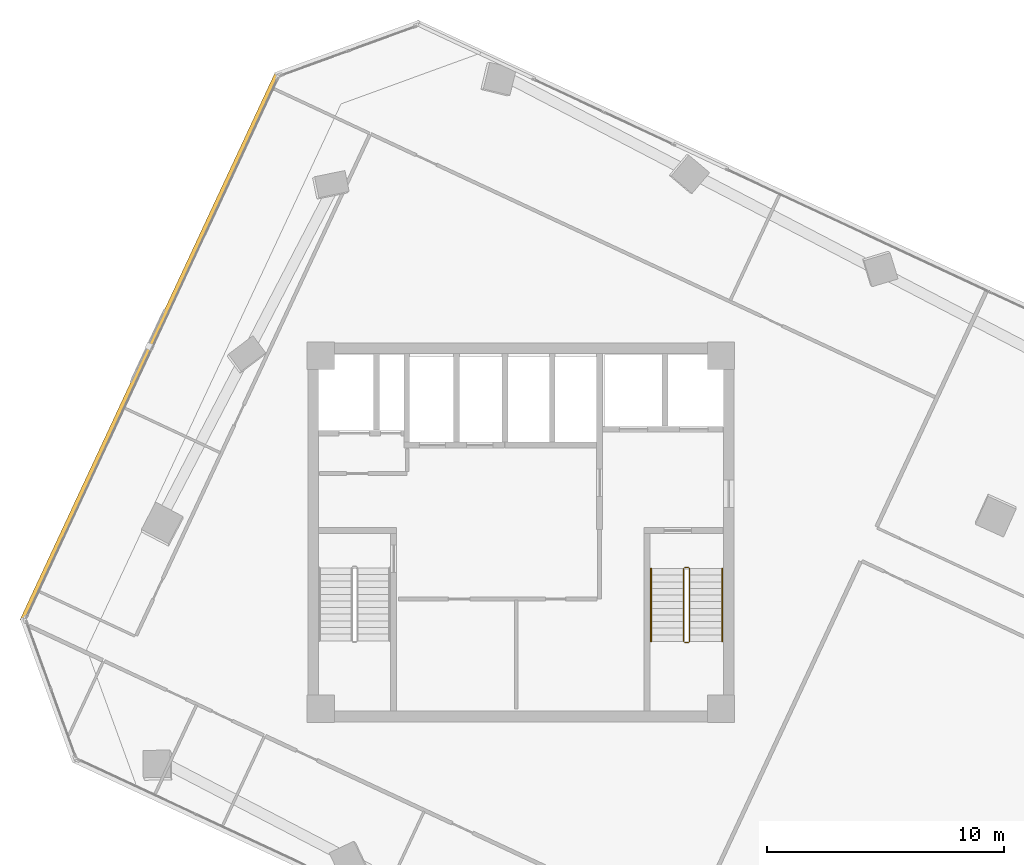
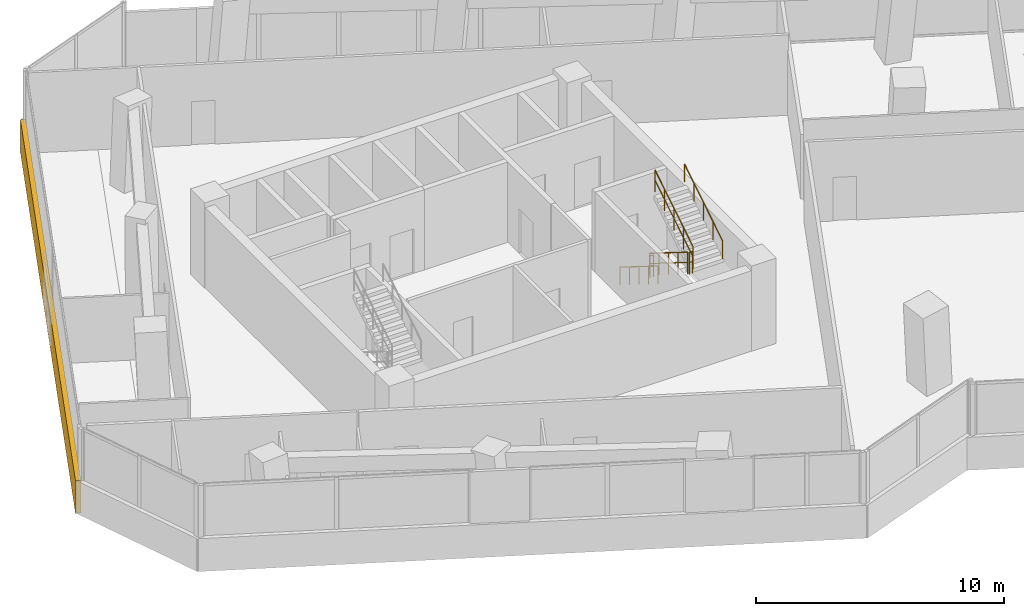
# One storey, part 19 of 21: 6 railings, 1 covering.
"""IFC4 building model written with IfcOpenShell, lengths in metres."""

from ifc_helpers import new_model, si_unit, direction, frame, origin, origin_2d, place, context, subcontext, project, spatial, rectangle, circle, extrude, source, transform, mapped, material, layer, layer_set, type_object, element, save


model = new_model("IFC4")

# Units and contexts
model_context = context("Model", 3, precision=1e-05, world=origin(), true_north=direction((0.0, 1.0)))
body_context = subcontext(model_context, "Body", "Model", "MODEL_VIEW")
ifc_project = project(units=[si_unit("LENGTHUNIT", "METRE"), si_unit("AREAUNIT", "SQUARE_METRE"), si_unit("VOLUMEUNIT", "CUBIC_METRE"), si_unit("PLANEANGLEUNIT", "RADIAN"), si_unit("MASSUNIT", "GRAM", prefix="KILO")], contexts=[model_context])

# Site, building, storey
site_placement = place(None, origin())
site = spatial("IfcSite", under=ifc_project, at=site_placement, CompositionType="ELEMENT")
building_placement = place(site_placement, origin())
building = spatial("IfcBuilding", under=site, at=building_placement, Name="Torre Montelarca", CompositionType="ELEMENT")
storey_placement = place(building_placement, frame((0.0, 0.0, 162.39990234375)))
storey = spatial("IfcBuildingStorey", under=building, at=storey_placement, Name="L36", CompositionType="ELEMENT", Elevation=162.39990234375)

# Railings
ifc_material_1 = material(Name="Powder-coated steel ASTM A500 Grade C", Category="steel")
railing_type_1 = type_object("IfcRailingType", Name="RL-GUARD-1100", PredefinedType="BALUSTRADE", material=ifc_material_1)
railing_1_placement = place(storey_placement, frame((24.8701171875, 30.469970703125, 0.175048828125)))
element("IfcRailing", 1, at=railing_1_placement, inside=storey, type_object=railing_type_1, Name="L36 ST2 stair guard 1", PredefinedType="BALUSTRADE", context=body_context, shape_type="SweptSolid", body=[
    extrude(circle(Radius=0.02392578125, at=origin_2d()), frame((0.0, 0.0, 1.076171875), z_axis=(0.0, -0.847998304005, 0.529998940003), x_axis=(1.0, 0.0, 0.0)), (0.0, 0.0, 1.0), 3.632080078125),
    extrude(circle(Radius=0.02099609375, at=origin_2d()), frame((0.0, 0.0, 0.572021484375), z_axis=(0.0, -0.847998304005, 0.529998940003), x_axis=(1.0, 0.0, 0.0)), (0.0, 0.0, 1.0), 3.632080078125),
    extrude(circle(Radius=0.02099609375, at=origin_2d()), origin(), (0.0, 0.0, 1.0), 1.052001953125),
    extrude(circle(Radius=0.02099609375, at=origin_2d()), frame((0.0, -0.77001953125, 0.481201171875)), (0.0, 0.0, 1.0), 1.052001953125),
    extrude(circle(Radius=0.02099609375, at=origin_2d()), frame((0.0, -1.5400390625, 0.96240234375)), (0.0, 0.0, 1.0), 1.052001953125),
    extrude(circle(Radius=0.02099609375, at=origin_2d()), frame((0.0, -2.31005859375, 1.44384765625)), (0.0, 0.0, 1.0), 1.052001953125),
    extrude(circle(Radius=0.02099609375, at=origin_2d()), frame((0.0, -3.080078125, 1.925048828125)), (0.0, 0.0, 1.0), 1.052001953125),
])
railing_2_placement = place(storey_placement, frame((24.919921875, 27.340087890625, 2.10009765625)))
element("IfcRailing", 2, at=railing_2_placement, inside=storey, type_object=railing_type_1, Name="L36 ST2 stair guard 2", PredefinedType="BALUSTRADE", context=body_context, shape_type="SweptSolid", body=[
    extrude(circle(Radius=0.02392578125, at=origin_2d()), frame((0.0, 0.0, 1.076171875), z_axis=(1.0, 0.0, 0.0), x_axis=(0.0, 1.0, 0.0)), (0.0, 0.0, 1.0), 0.150146484375),
    extrude(circle(Radius=0.02099609375, at=origin_2d()), frame((0.0, 0.0, 0.572021484375), z_axis=(1.0, 0.0, 0.0), x_axis=(0.0, 1.0, 0.0)), (0.0, 0.0, 1.0), 0.150146484375),
    extrude(circle(Radius=0.02099609375, at=origin_2d()), origin(), (0.0, 0.0, 1.0), 1.052001953125),
    extrude(circle(Radius=0.02099609375, at=origin_2d()), frame((0.150146484375, 0.0, 0.0)), (0.0, 0.0, 1.0), 1.052001953125),
])
railing_3_placement = place(storey_placement, frame((25.1201171875, 27.389892578125, 2.275146484375)))
element("IfcRailing", 3, at=railing_3_placement, inside=storey, type_object=railing_type_1, Name="L36 ST2 stair guard 3", PredefinedType="BALUSTRADE", context=body_context, shape_type="SweptSolid", body=[
    extrude(circle(Radius=0.02392578125, at=origin_2d()), frame((0.0, 0.0, 1.076171875), z_axis=(0.0, 0.847998304005, 0.529998940003), x_axis=(-1.0, 0.0, 0.0)), (0.0, 0.0, 1.0), 3.632080078125),
    extrude(circle(Radius=0.02099609375, at=origin_2d()), frame((0.0, 0.0, 0.572021484375), z_axis=(0.0, 0.847998304005, 0.529998940003), x_axis=(-1.0, 0.0, 0.0)), (0.0, 0.0, 1.0), 3.632080078125),
    extrude(circle(Radius=0.02099609375, at=origin_2d()), origin(), (0.0, 0.0, 1.0), 1.052001953125),
    extrude(circle(Radius=0.02099609375, at=origin_2d()), frame((0.0, 0.77001953125, 0.481201171875)), (0.0, 0.0, 1.0), 1.052001953125),
    extrude(circle(Radius=0.02099609375, at=origin_2d()), frame((0.0, 1.5400390625, 0.96240234375)), (0.0, 0.0, 1.0), 1.052001953125),
    extrude(circle(Radius=0.02099609375, at=origin_2d()), frame((0.0, 2.31005859375, 1.44384765625)), (0.0, 0.0, 1.0), 1.052001953125),
    extrude(circle(Radius=0.02099609375, at=origin_2d()), frame((0.0, 3.080078125, 1.925048828125)), (0.0, 0.0, 1.0), 1.052001953125),
])
railing_4_placement = place(storey_placement, frame((24.919921875, 30.52001953125, 0.0)))
element("IfcRailing", 4, at=railing_4_placement, inside=storey, type_object=railing_type_1, Name="L36 ST2 stair guard 4", PredefinedType="BALUSTRADE", context=body_context, shape_type="SweptSolid", body=[
    extrude(circle(Radius=0.02392578125, at=origin_2d()), frame((0.0, 0.0, 1.076171875), z_axis=(1.0, 0.0, 0.0), x_axis=(0.0, 1.0, 0.0)), (0.0, 0.0, 1.0), 0.150146484375),
    extrude(circle(Radius=0.02099609375, at=origin_2d()), frame((0.0, 0.0, 0.572021484375), z_axis=(1.0, 0.0, 0.0), x_axis=(0.0, 1.0, 0.0)), (0.0, 0.0, 1.0), 0.150146484375),
    extrude(circle(Radius=0.02099609375, at=origin_2d()), origin(), (0.0, 0.0, 1.0), 1.052001953125),
    extrude(circle(Radius=0.02099609375, at=origin_2d()), frame((0.150146484375, 0.0, 0.0)), (0.0, 0.0, 1.0), 1.052001953125),
])
ifc_material_2 = material(Name="Brushed stainless steel AISI 316", Category="steel")
railing_type_2 = type_object("IfcRailingType", Name="RL-HANDRAIL-900", PredefinedType="HANDRAIL", material=ifc_material_2)
railing_5_placement = place(storey_placement, frame((23.489990234375, 30.469970703125, 0.175048828125)))
element("IfcRailing", 5, at=railing_5_placement, inside=storey, type_object=railing_type_2, Name="L36 ST2 stair handrail 1", PredefinedType="HANDRAIL", context=body_context, shape_type="SweptSolid", body=[
    extrude(circle(Radius=0.02392578125, at=origin_2d()), frame((0.0, 0.0, 0.8759765625), z_axis=(0.0, -0.847998304005, 0.529998940003), x_axis=(1.0, 0.0, 0.0)), (0.0, 0.0, 1.0), 3.632080078125),
    extrude(circle(Radius=0.02099609375, at=origin_2d()), origin(), (0.0, 0.0, 1.0), 0.851806640625),
    extrude(circle(Radius=0.02099609375, at=origin_2d()), frame((0.0, -0.77001953125, 0.481201171875)), (0.0, 0.0, 1.0), 0.851806640625),
    extrude(circle(Radius=0.02099609375, at=origin_2d()), frame((0.0, -1.5400390625, 0.96240234375)), (0.0, 0.0, 1.0), 0.851806640625),
    extrude(circle(Radius=0.02099609375, at=origin_2d()), frame((0.0, -2.31005859375, 1.44384765625)), (0.0, 0.0, 1.0), 0.851806640625),
    extrude(circle(Radius=0.02099609375, at=origin_2d()), frame((0.0, -3.080078125, 1.925048828125)), (0.0, 0.0, 1.0), 0.851806640625),
])
railing_6_placement = place(storey_placement, frame((26.5, 27.389892578125, 2.275146484375)))
element("IfcRailing", 6, at=railing_6_placement, inside=storey, type_object=railing_type_2, Name="L36 ST2 stair handrail 2", PredefinedType="HANDRAIL", context=body_context, shape_type="SweptSolid", body=[
    extrude(circle(Radius=0.02392578125, at=origin_2d()), frame((0.0, 0.0, 0.8759765625), z_axis=(0.0, 0.847998304005, 0.529998940003), x_axis=(-1.0, 0.0, 0.0)), (0.0, 0.0, 1.0), 3.632080078125),
    extrude(circle(Radius=0.02099609375, at=origin_2d()), origin(), (0.0, 0.0, 1.0), 0.851806640625),
    extrude(circle(Radius=0.02099609375, at=origin_2d()), frame((0.0, 0.77001953125, 0.481201171875)), (0.0, 0.0, 1.0), 0.851806640625),
    extrude(circle(Radius=0.02099609375, at=origin_2d()), frame((0.0, 1.5400390625, 0.96240234375)), (0.0, 0.0, 1.0), 0.851806640625),
    extrude(circle(Radius=0.02099609375, at=origin_2d()), frame((0.0, 2.31005859375, 1.44384765625)), (0.0, 0.0, 1.0), 0.851806640625),
    extrude(circle(Radius=0.02099609375, at=origin_2d()), frame((0.0, 3.080078125, 1.925048828125)), (0.0, 0.0, 1.0), 0.851806640625),
])

# Covering
ifc_material_3 = material(Name="Bush-hammered warm white precast concrete C45/55", Category="concrete")
ifc_layer = layer(ifc_material_3, 0.139892578125, Name="Bush-hammered warm white precast concrete C45/55", Category="concrete")
ifc_layer_set = layer_set([ifc_layer], Name="Bush-hammered warm white precast concrete C45/55")
covering_type = type_object("IfcCoveringType", Name="COV-TRAY-CLAD", PredefinedType="CLADDING", material=ifc_layer_set)
shared_shape = source(origin(), body_context, "Body", "SweptSolid", [
    extrude(rectangle(XDim=25.52001953125, YDim=0.219970703125, at=origin_2d()), origin(), (0.0, 0.0, 1.0), 1.6201171875),
])
covering_placement = place(storey_placement, frame((2.343994140625, 39.8291015625, -0.449951171875), z_axis=(0.0, 0.0, 1.0), x_axis=(-0.422618261741, -0.906307787037, 0.0)))
element("IfcCovering", 7, at=covering_placement, inside=storey, type_object=covering_type, Name="L36 Architectural White Spandrel Tray Band TRYBOT-10", PredefinedType="CLADDING", context=body_context, shape_type="MappedRepresentation", body=[
    mapped(shared_shape, transform((0.0, 0.0, 0.0), scale=1.0)),
])

save(model, "model.ifc")
